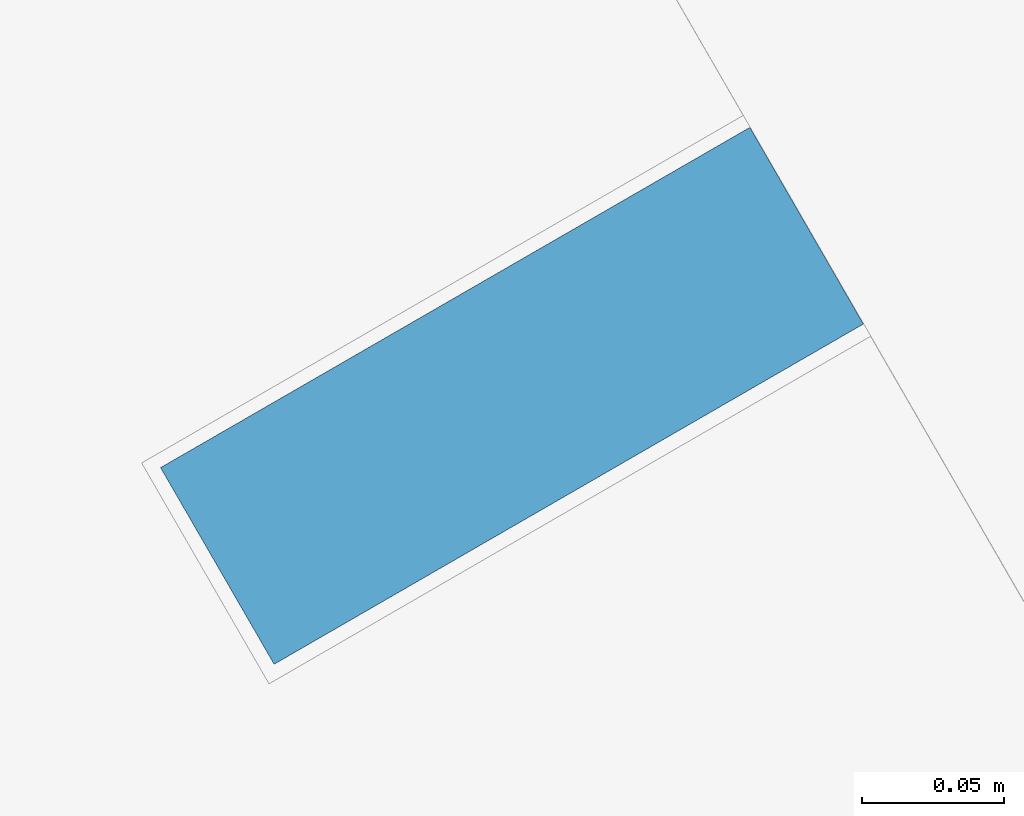
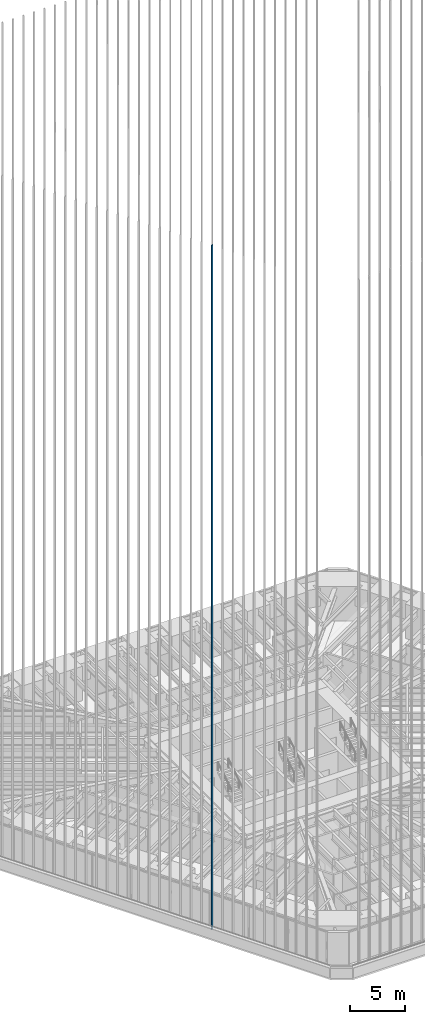
# One storey, part 5 of 238: 1 member, 1 element without a shape of its own.
"""IFC4 building model written with IfcOpenShell, lengths in metres."""

from ifc_helpers import new_model, si_unit, direction, frame, origin, origin_2d, place, context, subcontext, project, spatial, rectangle, extrude, material, material_profile, profile_set, type_object, element, aggregate, save


model = new_model("IFC4")

# Units and contexts
model_context = context("Model", 3, precision=1e-05, world=origin(), true_north=direction((0.0, 1.0)))
body_context = subcontext(model_context, "Body", "Model", "MODEL_VIEW")
ifc_project = project(units=[si_unit("LENGTHUNIT", "METRE"), si_unit("AREAUNIT", "SQUARE_METRE"), si_unit("VOLUMEUNIT", "CUBIC_METRE"), si_unit("PLANEANGLEUNIT", "RADIAN"), si_unit("MASSUNIT", "GRAM", prefix="KILO")], contexts=[model_context])

# Site, building, storey
site_placement = place(None, origin())
site = spatial("IfcSite", under=ifc_project, at=site_placement, CompositionType="ELEMENT")
building_placement = place(site_placement, origin())
building = spatial("IfcBuilding", under=site, at=building_placement, Name="Sandreach Pilgrim Tower", CompositionType="ELEMENT")
storey_placement = place(building_placement, frame((0.0, 0.0, 96.800048828125)))
storey = spatial("IfcBuildingStorey", under=building, at=storey_placement, Name="L23", CompositionType="ELEMENT", Elevation=96.800048828125)

# Curtain wall, member
ifc_material_1 = material(Name="Aluminium framed curtain wall", Category="aluminium")
curtain_wall_type = type_object("IfcCurtainWallType", Name="Hotel tower curtain wall", PredefinedType="NOTDEFINED", material=ifc_material_1)
curtain_wall_placement = place(storey_placement, origin())
curtain_wall = element("IfcCurtainWall", 1, at=curtain_wall_placement, inside=storey, type_object=curtain_wall_type, Name="CW-2 L23 SW", PredefinedType="NOTDEFINED")
ifc_material_2 = material(Name="Extruded terracotta on aluminium core", Category="masonry")
ifc_material_profile = material_profile(ifc_material_2, rectangle(XDim=0.080078125, YDim=0.239990234375, at=origin_2d()), Name="TBW 80X240")
ifc_profile_set = profile_set([ifc_material_profile], Name="Extruded terracotta on aluminium core")
member_type = type_object("IfcMemberType", Name="Terracotta baguette west", PredefinedType="USERDEFINED", material=ifc_profile_set)
member_placement = place(storey_placement, frame((-16.539794921875, -17.179931640625, 0.0), z_axis=(0.0, 0.0, 1.0), x_axis=(-0.5, 0.866025403784, 0.0)))
member = element("IfcMember", 2, at=member_placement, type_object=member_type, Name="Baguette Z2 SW11", ObjectType="BAGUETTE", PredefinedType="USERDEFINED", context=body_context, shape_type="SweptSolid", body=[
    extrude(rectangle(XDim=0.080078125, YDim=0.239990234375, at=origin_2d()), origin(), (0.0, 0.0, 1.0), 75.83984375),
])
aggregate(curtain_wall, [member])

save(model, "model.ifc")
